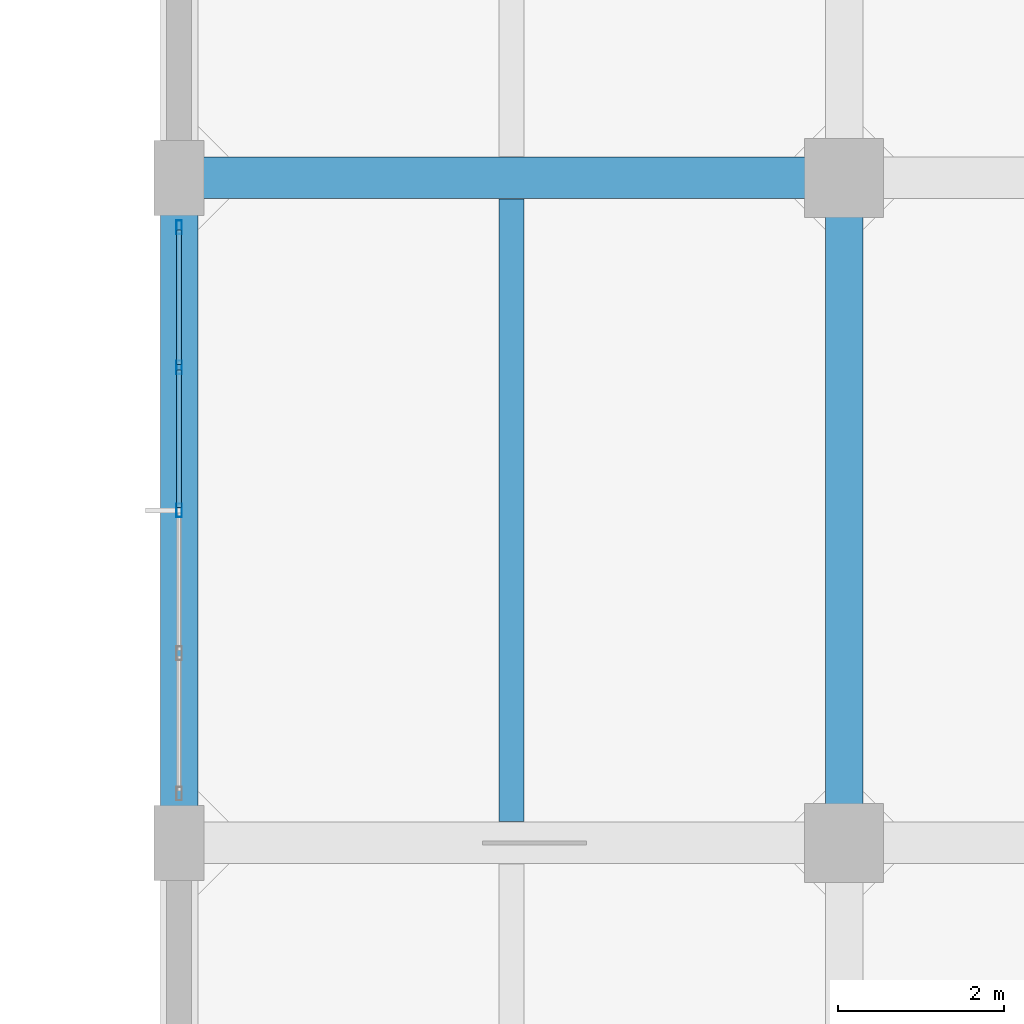
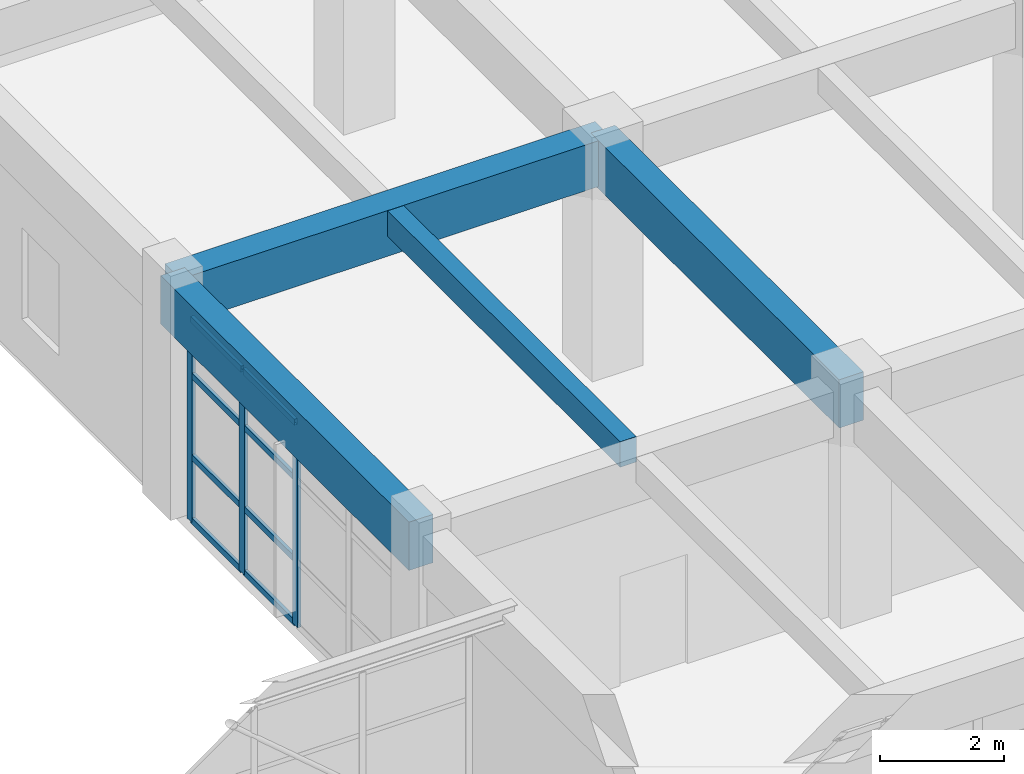
# One storey, part 107 of 248: 11 members, 4 beams, 1 element without a shape of its own.
"""IFC4 building model written with IfcOpenShell, lengths in metres."""

import ifcopenshell
import ifcopenshell.guid

model = None  # the IFC model being written
_history = None  # IfcOwnerHistory: only IFC2X3 demands one
_inside = {}  # id of a spatial element -> (the spatial element, [elements in it])
_under = {}  # id of a project, library or spatial element -> (it, [spatial elements below it])
_declared = {}  # id of a project -> (the project, [libraries it declares])
_typed = {}  # id of a type object -> (the type object, [elements of that type])
_made_of = {}  # id of a material, layer set ... -> (it, [elements and type objects made of it])


def new_model(schema):
    """Start an empty IFC model of exactly this schema.

    Asked for "IFC4X3", IfcOpenShell would pick the latest addendum, in which some entities
    have other attributes; the version numbers below select the first issue.
    IFC2X3 requires an IfcOwnerHistory on every rooted entity: one is made here for all.
    """
    global model, _history
    if schema == "IFC4X3":
        model = ifcopenshell.file(schema_version=(4, 3, 0, 0))
    else:
        model = ifcopenshell.file(schema=schema)
    _inside.clear()
    _under.clear()
    _declared.clear()
    _typed.clear()
    _made_of.clear()
    _history = None
    if model.schema == "IFC2X3":
        org = make("IfcOrganization", Name="unknown")
        user = make(
            "IfcPersonAndOrganization",
            ThePerson=make("IfcPerson", FamilyName="unknown"),
            TheOrganization=org,
        )
        app = make(
            "IfcApplication",
            ApplicationDeveloper=org,
            Version="unknown",
            ApplicationFullName="unknown",
            ApplicationIdentifier="unknown",
        )
        _history = make(
            "IfcOwnerHistory",
            OwningUser=user,
            OwningApplication=app,
            ChangeAction="ADDED",
            CreationDate=0,
        )
    return model


def make(cls, **values):
    """One entity of the class cls with the attributes given. An attribute that is None is left unset."""
    return model.create_entity(
        cls, **{name: value for name, value in values.items() if value is not None}
    )


def rooted(cls, **values):
    """An entity with a GlobalId (a new one), such as an element, a storey or a relation."""
    return make(cls, GlobalId=ifcopenshell.guid.new(), OwnerHistory=_history, **values)


def si_unit(unit_type, name, prefix=None):
    """IfcSIUnit, for example si_unit("LENGTHUNIT", "METRE", prefix="MILLI")."""
    return make("IfcSIUnit", UnitType=unit_type, Prefix=prefix, Name=name)


def assignment(units):
    """IfcUnitAssignment: the units of a project."""
    return None if units is None else make("IfcUnitAssignment", Units=units)


def point(xyz):
    """IfcCartesianPoint."""
    return None if xyz is None else make("IfcCartesianPoint", Coordinates=xyz)


def direction(xyz):
    """IfcDirection."""
    return None if xyz is None else make("IfcDirection", DirectionRatios=xyz)


def frame(location, z_axis=None, x_axis=None):
    """IfcAxis2Placement3D, a coordinate frame: its origin and axes. An axis left out is left unset."""
    return make(
        "IfcAxis2Placement3D",
        Location=point(location),
        Axis=direction(z_axis),
        RefDirection=direction(x_axis),
    )


def frame_2d(location, x_axis=None):
    """IfcAxis2Placement2D, a coordinate frame in the plane: its origin and x axis."""
    return make(
        "IfcAxis2Placement2D", Location=point(location), RefDirection=direction(x_axis)
    )


def origin():
    """The frame at (0, 0, 0) with its axes left unset."""
    return frame((0.0, 0.0, 0.0))


def origin_2d():
    """The frame at (0, 0) in the plane with its x axis left unset."""
    return frame_2d((0.0, 0.0))


def place(relative_to, where):
    """IfcLocalPlacement: puts the frame where relative to a parent placement (None: the world)."""
    return make(
        "IfcLocalPlacement", PlacementRelTo=relative_to, RelativePlacement=where
    )


def context(
    kind, dimensions, precision=None, world=None, true_north=None, identifier=None
):
    """IfcGeometricRepresentationContext, for example the 3D "Model" context."""
    return make(
        "IfcGeometricRepresentationContext",
        ContextIdentifier=identifier,
        ContextType=kind,
        CoordinateSpaceDimension=dimensions,
        Precision=precision,
        WorldCoordinateSystem=world,
        TrueNorth=true_north,
    )


def subcontext(parent, identifier, kind, view, scale=None):
    """IfcGeometricRepresentationSubContext, for example "Body" below "Model"."""
    return make(
        "IfcGeometricRepresentationSubContext",
        ContextIdentifier=identifier,
        ContextType=kind,
        ParentContext=parent,
        TargetScale=scale,
        TargetView=view,
    )


def project(units=None, contexts=None):
    """IfcProject with its units and contexts."""
    return rooted(
        "IfcProject",
        Name="project",
        RepresentationContexts=contexts,
        UnitsInContext=assignment(units),
    )


def spatial(cls, under=None, at=None, **own):
    """A site, building, storey or space (cls), placed at a placement, below another one or the project."""
    s = rooted(cls, ObjectPlacement=at, **own)
    if under is not None:
        _under.setdefault(under.id(), (under, []))[1].append(s)
    return s


def profile(cls, at=None, kind="AREA", **sizes):
    """A parametric profile (cls). Its sizes go by their IFC names, for example OverallWidth=200.0."""
    return make(cls, ProfileType=kind, Position=at, **sizes)


def rectangle(**sizes):
    """IfcRectangleProfileDef."""
    return profile("IfcRectangleProfileDef", **sizes)


def hollow_rectangle(**sizes):
    """IfcRectangleHollowProfileDef."""
    return profile("IfcRectangleHollowProfileDef", **sizes)


def extrude(swept, where, along, depth):
    """IfcExtrudedAreaSolid: the profile swept, set in the frame where, extruded along a direction by depth."""
    return make(
        "IfcExtrudedAreaSolid",
        SweptArea=swept,
        Position=where,
        ExtrudedDirection=direction(along),
        Depth=depth,
    )


def shape(context_of_items, identifier, shape_type, items):
    """IfcShapeRepresentation: the items that make up one representation, for example the "Body"."""
    return make(
        "IfcShapeRepresentation",
        ContextOfItems=context_of_items,
        RepresentationIdentifier=identifier,
        RepresentationType=shape_type,
        Items=items,
    )


def material(Name=None, Category=None):
    """IfcMaterial."""
    return make("IfcMaterial", Name=Name, Category=Category)


def layer(
    of_material, thickness, ventilated=None, Name=None, Category=None, Priority=None
):
    """IfcMaterialLayer: one layer of a wall or slab, of a material (None: an air gap)."""
    return make(
        "IfcMaterialLayer",
        Material=of_material,
        LayerThickness=thickness,
        IsVentilated=ventilated,
        Name=Name,
        Category=Category,
        Priority=Priority,
    )


def layer_set(layers, Name=None):
    """IfcMaterialLayerSet."""
    return make("IfcMaterialLayerSet", MaterialLayers=layers, LayerSetName=Name)


def material_profile(
    of_material, cross_section, Name=None, Category=None, Priority=None
):
    """IfcMaterialProfile: a cross section and its material."""
    return make(
        "IfcMaterialProfile",
        Name=Name,
        Material=of_material,
        Profile=cross_section,
        Priority=Priority,
        Category=Category,
    )


def profile_set(profiles, Name=None, composite=None):
    """IfcMaterialProfileSet."""
    return make(
        "IfcMaterialProfileSet",
        Name=Name,
        MaterialProfiles=profiles,
        CompositeProfile=composite,
    )


def made_of(thing, what):
    """Note that an element or type object is made of a material, layer set ...; save() writes the relation."""
    if what is not None:
        _made_of.setdefault(what.id(), (what, []))[1].append(thing)
    return thing


def type_object(cls, material=None, **own):
    """A type object (cls), such as IfcWallType, which elements share."""
    return made_of(rooted(cls, **own), material)


def element(
    cls,
    number,
    at=None,
    inside=None,
    cuts=None,
    type_object=None,
    material=None,
    context=None,
    identifier="Body",
    shape_type=None,
    held_by="IfcProductDefinitionShape",
    body=None,
    shapes=None,
    **own,
):
    """One element of the class cls, such as IfcWall. Its Tag is "e" and its number.

    at: its placement. inside: the storey or other place that contains it. cuts: it is an
    opening in that element (IfcRelVoidsElement). A single representation is given by context,
    identifier, shape_type and body (its items); several are given by shapes. held_by: the class
    of the entity that holds the representations. save() writes the other relations.
    """
    e = rooted(cls, Tag="e%d" % number, ObjectPlacement=at, **own)
    if body is not None:
        shapes = [shape(context, identifier, shape_type, body)]
    if shapes is not None:
        e.Representation = make(held_by, Representations=shapes)
    if inside is not None:
        _inside.setdefault(inside.id(), (inside, []))[1].append(e)
    if cuts is not None:
        rooted(
            "IfcRelVoidsElement", RelatingBuildingElement=cuts, RelatedOpeningElement=e
        )
    if type_object is not None:
        _typed.setdefault(type_object.id(), (type_object, []))[1].append(e)
    return made_of(e, material)


def aggregate(whole, parts):
    """IfcRelAggregates: a whole, such as a stair, and the parts it consists of."""
    return rooted("IfcRelAggregates", RelatingObject=whole, RelatedObjects=parts)


def save(model, path):
    """Write the relations noted so far, then the file.

    IfcRelAggregates (storeys below a building ...), IfcRelContainedInSpatialStructure (elements
    in a storey), IfcRelDefinesByType, IfcRelAssociatesMaterial and IfcRelDeclares: one each for
    every whole, place, type object, material and project.
    """
    for whole, parts in _under.values():
        aggregate(whole, parts)
    for where, things in _inside.values():
        rooted(
            "IfcRelContainedInSpatialStructure",
            RelatedElements=things,
            RelatingStructure=where,
        )
    for kind, things in _typed.values():
        rooted("IfcRelDefinesByType", RelatedObjects=things, RelatingType=kind)
    for what, things in _made_of.values():
        rooted("IfcRelAssociatesMaterial", RelatedObjects=things, RelatingMaterial=what)
    for by, libraries in _declared.values():
        rooted("IfcRelDeclares", RelatingContext=by, RelatedDefinitions=libraries)
    model.write(path)


model = new_model("IFC4")

# Units and contexts
model_context = context("Model", 3, precision=1e-05, world=origin(), true_north=direction((0.0, 1.0)))
body_context = subcontext(model_context, "Body", "Model", "MODEL_VIEW")
ifc_project = project(units=[si_unit("LENGTHUNIT", "METRE"), si_unit("AREAUNIT", "SQUARE_METRE"), si_unit("VOLUMEUNIT", "CUBIC_METRE"), si_unit("PLANEANGLEUNIT", "RADIAN"), si_unit("MASSUNIT", "GRAM", prefix="KILO")], contexts=[model_context])

# Site, building, storey
site_placement = place(None, origin())
site = spatial("IfcSite", under=ifc_project, at=site_placement, CompositionType="ELEMENT")
building_placement = place(site_placement, origin())
building = spatial("IfcBuilding", under=site, at=building_placement, Name="Canggui Botanical Conservatory", CompositionType="ELEMENT")
storey_placement = place(building_placement, frame((0.0, 0.0, 5.39990234375)))
storey = spatial("IfcBuildingStorey", under=building, at=storey_placement, Name="L02", CompositionType="ELEMENT", Elevation=5.39990234375)

# Beams
ifc_material_1 = material(Name="Concrete C35", Category="concrete")
ifc_material_profile_1 = material_profile(ifc_material_1, rectangle(XDim=0.300048828125, YDim=0.5, at=origin_2d()), Name="RB 300x500")
ifc_profile_set_1 = profile_set([ifc_material_profile_1], Name="Concrete C35")
beam_type_1 = type_object("IfcBeamType", Name="BM-JST02", PredefinedType="JOIST", material=ifc_profile_set_1)
beam_1_placement = place(storey_placement, frame((134.0, 34.2548828125, 4.27001953125), z_axis=(0.0, 1.0, 0.0), x_axis=(-1.0, 0.0, 0.0)))
element("IfcBeam", 1, at=beam_1_placement, inside=storey, type_object=beam_type_1, Name="Secondary Floor Joist L02-1-2", PredefinedType="JOIST", context=body_context, shape_type="SweptSolid", body=[
    extrude(rectangle(XDim=0.300048828125, YDim=0.5, at=origin_2d()), origin(), (0.0, 0.0, 1.0), 7.490234375),
])
ifc_material_profile_2 = material_profile(ifc_material_1, rectangle(XDim=0.5, YDim=0.89990234375, at=origin_2d()), Name="RB 500x900")
ifc_profile_set_2 = profile_set([ifc_material_profile_2], Name="Concrete C35")
beam_type_2 = type_object("IfcBeamType", Name="BM-KL03", PredefinedType="BEAM", material=ifc_profile_set_2)
beam_2_placement = place(storey_placement, frame((130.0, 42.0, 4.070068359375), z_axis=(1.0, 0.0, 0.0), x_axis=(0.0, 1.0, 0.0)))
element("IfcBeam", 2, at=beam_2_placement, inside=storey, type_object=beam_type_2, Name="Frame Girder L02 Y42-1", PredefinedType="BEAM", context=body_context, shape_type="SweptSolid", body=[
    extrude(rectangle(XDim=0.5, YDim=0.89990234375, at=origin_2d()), origin(), (0.0, 0.0, 1.0), 8.0),
])
ifc_material_profile_3 = material_profile(ifc_material_1, rectangle(XDim=0.449951171875, YDim=0.949951171875, at=origin_2d()), Name="RB 450x950")
ifc_profile_set_3 = profile_set([ifc_material_profile_3], Name="Concrete C35")
beam_type_3 = type_object("IfcBeamType", Name="BM-KL04", PredefinedType="BEAM", material=ifc_profile_set_3)
for number, where, z_axis, x_axis, name in (
    (3, (130.0, 34.0, 4.045166015625), (0.0, 1.0, 0.0), (-1.0, 0.0, 0.0), "Frame Girder L02 X130-2"),
    (4, (138.0, 34.0, 4.045166015625), (0.0, 1.0, 0.0), (-1.0, 0.0, 0.0), "Frame Girder L02 X138-2"),
):
    element("IfcBeam", number, at=place(storey_placement, frame(where, z_axis=z_axis, x_axis=x_axis)), inside=storey, type_object=beam_type_3, Name=name, PredefinedType="BEAM", context=body_context, shape_type="SweptSolid", body=[
        extrude(rectangle(XDim=0.449951171875, YDim=0.949951171875, at=origin_2d()), origin(), (0.0, 0.0, 1.0), 8.0),
    ])

# Curtain wall, members
ifc_material_2 = material(Name="Thermally Broken Aluminium", Category="aluminium")
ifc_layer = layer(ifc_material_2, 0.1650390625, Name="Thermally Broken Aluminium", Category="aluminium")
ifc_layer_set = layer_set([ifc_layer], Name="Thermally Broken Aluminium")
curtain_wall_type = type_object("IfcCurtainWallType", Name="CW-UNIT-B", PredefinedType="USERDEFINED", material=ifc_layer_set)
curtain_wall_placement = place(storey_placement, origin())
curtain_wall = element("IfcCurtainWall", 5, at=curtain_wall_placement, inside=storey, type_object=curtain_wall_type, Name="Facade Curtain Wall CW-TWR-L02-08", ObjectType="UNITISED CURTAIN WALL", PredefinedType="USERDEFINED")
ifc_material_profile_4 = material_profile(ifc_material_2, hollow_rectangle(XDim=0.06494140625, YDim=0.1650390625, WallThickness=0.00390625, at=origin_2d()), Name="CWM 65x165x4")
ifc_profile_set_4 = profile_set([ifc_material_profile_4], Name="Thermally Broken Aluminium")
member_type_1 = type_object("IfcMemberType", Name="CWM-02", PredefinedType="MULLION", material=ifc_profile_set_4)
member_1_placement = place(storey_placement, frame((130.0, 38.0, 0.0), z_axis=(0.0, 0.0, 1.0), x_axis=(-1.0, 0.0, 0.0)))
member_1 = element("IfcMember", 6, at=member_1_placement, type_object=member_type_1, Name="CW-02 mullion 3", PredefinedType="MULLION", context=body_context, shape_type="SweptSolid", body=[
    extrude(hollow_rectangle(XDim=0.06494140625, YDim=0.1650390625, WallThickness=0.00390625, at=origin_2d()), origin(), (0.0, 0.0, 1.0), 4.0),
])
member_2_placement = place(storey_placement, frame((130.0, 39.719970703125, 0.0), z_axis=(0.0, 0.0, 1.0), x_axis=(-1.0, 0.0, 0.0)))
member_2 = element("IfcMember", 7, at=member_2_placement, type_object=member_type_1, Name="CW-02 mullion 4", PredefinedType="MULLION", context=body_context, shape_type="SweptSolid", body=[
    extrude(hollow_rectangle(XDim=0.06494140625, YDim=0.1650390625, WallThickness=0.00390625, at=origin_2d()), origin(), (0.0, 0.0, 1.0), 4.0),
])
member_3_placement = place(storey_placement, frame((130.0, 41.407470703125, 0.0), z_axis=(0.0, 0.0, 1.0), x_axis=(-1.0, 0.0, 0.0)))
member_3 = element("IfcMember", 8, at=member_3_placement, type_object=member_type_1, Name="CW-02 mullion 5", PredefinedType="MULLION", context=body_context, shape_type="SweptSolid", body=[
    extrude(hollow_rectangle(XDim=0.06494140625, YDim=0.1650390625, WallThickness=0.00390625, at=origin_2d()), origin(), (0.0, 0.0, 1.0), 4.0),
])
ifc_material_profile_5 = material_profile(ifc_material_2, hollow_rectangle(XDim=0.06005859375, YDim=0.1201171875, WallThickness=0.00341796875, at=origin_2d()), Name="CWT 60x120x3.5")
ifc_profile_set_5 = profile_set([ifc_material_profile_5], Name="Thermally Broken Aluminium")
member_type_2 = type_object("IfcMemberType", Name="CWT-02", PredefinedType="USERDEFINED", material=ifc_profile_set_5)
member_4_placement = place(storey_placement, frame((130.0, 38.032470703125, 0.030029296875), z_axis=(0.0, 1.0, 0.0), x_axis=(-1.0, 0.0, 0.0)))
member_4 = element("IfcMember", 9, at=member_4_placement, type_object=member_type_2, Name="CW-02 transom 3.1", ObjectType="TRANSOM", PredefinedType="USERDEFINED", context=body_context, shape_type="SweptSolid", body=[
    extrude(hollow_rectangle(XDim=0.06005859375, YDim=0.1201171875, WallThickness=0.00341796875, at=origin_2d()), origin(), (0.0, 0.0, 1.0), 1.655029296875),
])
member_5_placement = place(storey_placement, frame((130.0, 38.032470703125, 1.280029296875), z_axis=(0.0, 1.0, 0.0), x_axis=(-1.0, 0.0, 0.0)))
member_5 = element("IfcMember", 10, at=member_5_placement, type_object=member_type_2, Name="CW-02 transom 3.2", ObjectType="TRANSOM", PredefinedType="USERDEFINED", context=body_context, shape_type="SweptSolid", body=[
    extrude(hollow_rectangle(XDim=0.06005859375, YDim=0.1201171875, WallThickness=0.00341796875, at=origin_2d()), origin(), (0.0, 0.0, 1.0), 1.655029296875),
])
member_6_placement = place(storey_placement, frame((130.0, 38.032470703125, 2.880126953125), z_axis=(0.0, 1.0, 0.0), x_axis=(-1.0, 0.0, 0.0)))
member_6 = element("IfcMember", 11, at=member_6_placement, type_object=member_type_2, Name="CW-02 transom 3.3", ObjectType="TRANSOM", PredefinedType="USERDEFINED", context=body_context, shape_type="SweptSolid", body=[
    extrude(hollow_rectangle(XDim=0.06005859375, YDim=0.1201171875, WallThickness=0.00341796875, at=origin_2d()), origin(), (0.0, 0.0, 1.0), 1.655029296875),
])
member_7_placement = place(storey_placement, frame((130.0, 38.032470703125, 3.97021484375), z_axis=(0.0, 1.0, 0.0), x_axis=(-1.0, 0.0, 0.0)))
member_7 = element("IfcMember", 12, at=member_7_placement, type_object=member_type_2, Name="CW-02 transom 3.4", ObjectType="TRANSOM", PredefinedType="USERDEFINED", context=body_context, shape_type="SweptSolid", body=[
    extrude(hollow_rectangle(XDim=0.06005859375, YDim=0.1201171875, WallThickness=0.00341796875, at=origin_2d()), origin(), (0.0, 0.0, 1.0), 1.655029296875),
])
member_8_placement = place(storey_placement, frame((130.0, 39.75244140625, 0.030029296875), z_axis=(0.0, 1.0, 0.0), x_axis=(-1.0, 0.0, 0.0)))
member_8 = element("IfcMember", 13, at=member_8_placement, type_object=member_type_2, Name="CW-02 transom 4.1", ObjectType="TRANSOM", PredefinedType="USERDEFINED", context=body_context, shape_type="SweptSolid", body=[
    extrude(hollow_rectangle(XDim=0.06005859375, YDim=0.1201171875, WallThickness=0.00341796875, at=origin_2d()), origin(), (0.0, 0.0, 1.0), 1.62255859375),
])
member_9_placement = place(storey_placement, frame((130.0, 39.75244140625, 1.280029296875), z_axis=(0.0, 1.0, 0.0), x_axis=(-1.0, 0.0, 0.0)))
member_9 = element("IfcMember", 14, at=member_9_placement, type_object=member_type_2, Name="CW-02 transom 4.2", ObjectType="TRANSOM", PredefinedType="USERDEFINED", context=body_context, shape_type="SweptSolid", body=[
    extrude(hollow_rectangle(XDim=0.06005859375, YDim=0.1201171875, WallThickness=0.00341796875, at=origin_2d()), origin(), (0.0, 0.0, 1.0), 1.62255859375),
])
member_10_placement = place(storey_placement, frame((130.0, 39.75244140625, 2.880126953125), z_axis=(0.0, 1.0, 0.0), x_axis=(-1.0, 0.0, 0.0)))
member_10 = element("IfcMember", 15, at=member_10_placement, type_object=member_type_2, Name="CW-02 transom 4.3", ObjectType="TRANSOM", PredefinedType="USERDEFINED", context=body_context, shape_type="SweptSolid", body=[
    extrude(hollow_rectangle(XDim=0.06005859375, YDim=0.1201171875, WallThickness=0.00341796875, at=origin_2d()), origin(), (0.0, 0.0, 1.0), 1.62255859375),
])
member_11_placement = place(storey_placement, frame((130.0, 39.75244140625, 3.97021484375), z_axis=(0.0, 1.0, 0.0), x_axis=(-1.0, 0.0, 0.0)))
member_11 = element("IfcMember", 16, at=member_11_placement, type_object=member_type_2, Name="CW-02 transom 4.4", ObjectType="TRANSOM", PredefinedType="USERDEFINED", context=body_context, shape_type="SweptSolid", body=[
    extrude(hollow_rectangle(XDim=0.06005859375, YDim=0.1201171875, WallThickness=0.00341796875, at=origin_2d()), origin(), (0.0, 0.0, 1.0), 1.62255859375),
])
aggregate(curtain_wall, [member_1, member_2, member_3, member_4, member_5, member_6, member_7, member_8, member_9, member_10, member_11])

save(model, "model.ifc")
